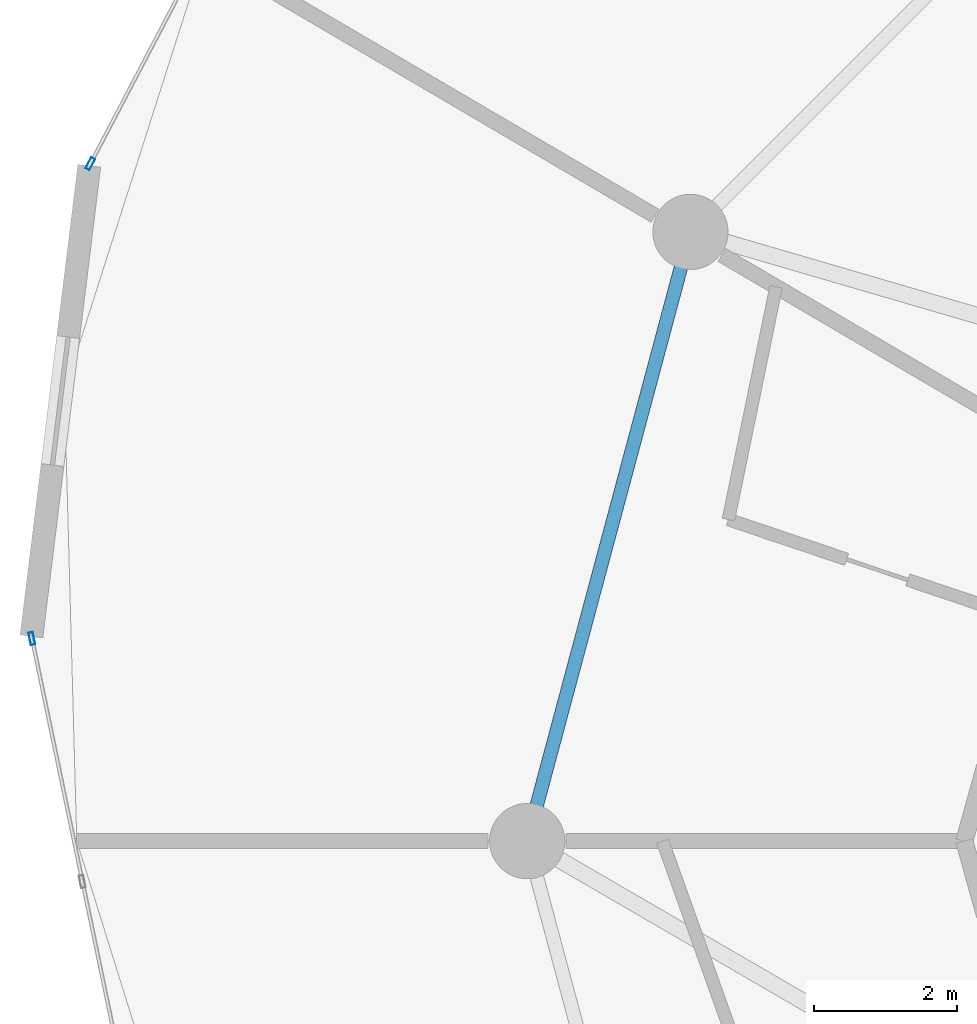
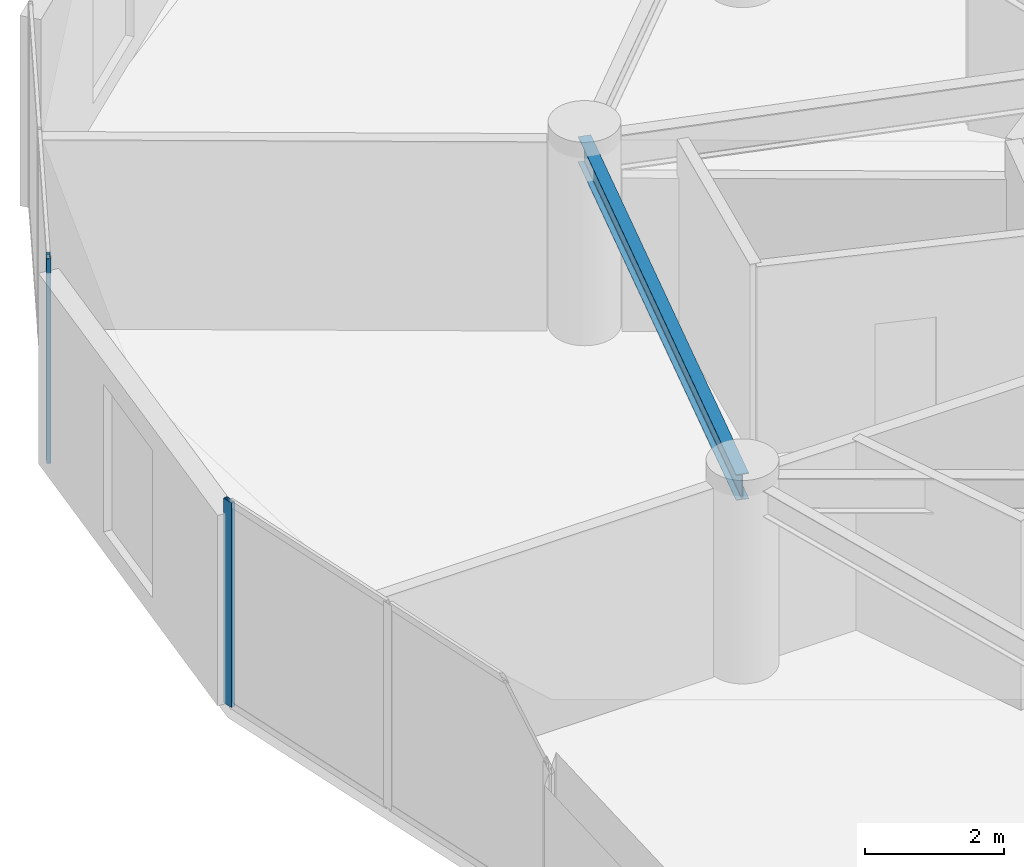
# One storey, part 8 of 25: 2 members, 1 beam, 2 elements without a shape of their own.
"""IFC4 building model written with IfcOpenShell, lengths in metres."""

from ifc_helpers import new_model, si_unit, direction, frame, origin, origin_2d, place, context, subcontext, project, spatial, hollow_rectangle, i_section, extrude, source, transform, mapped, material, layer, layer_set, material_profile, profile_set, type_object, element, aggregate, save


model = new_model("IFC4")

# Units and contexts
model_context = context("Model", 3, precision=1e-05, world=origin(), true_north=direction((0.0, 1.0)))
body_context = subcontext(model_context, "Body", "Model", "MODEL_VIEW")
ifc_project = project(units=[si_unit("LENGTHUNIT", "METRE"), si_unit("AREAUNIT", "SQUARE_METRE"), si_unit("VOLUMEUNIT", "CUBIC_METRE"), si_unit("PLANEANGLEUNIT", "RADIAN"), si_unit("MASSUNIT", "GRAM", prefix="KILO")], contexts=[model_context])

# Site, building, storey
site_placement = place(None, origin())
site = spatial("IfcSite", under=ifc_project, at=site_placement, CompositionType="ELEMENT")
building_placement = place(site_placement, origin())
building = spatial("IfcBuilding", under=site, at=building_placement, Name="Solvirekh Grand Hotel", CompositionType="ELEMENT")
storey_placement = place(building_placement, frame((0.0, 0.0, 127.800048828125)))
storey = spatial("IfcBuildingStorey", under=building, at=storey_placement, Name="L32", CompositionType="ELEMENT", Elevation=127.800048828125)

# Beam
ifc_material_1 = material(Name="Steel S355", Category="steel")
ifc_material_profile_1 = material_profile(ifc_material_1, i_section(OverallWidth=0.18994140625, OverallDepth=0.45703125, WebThickness=0.009033203125, FlangeThickness=0.013916015625, FilletRadius=0.012939453125, at=origin_2d()), Name="W460X74")
ifc_profile_set_1 = profile_set([ifc_material_profile_1], Name="Steel S355")
beam_type = type_object("IfcBeamType", Name="Spandrel_Ring_W460", PredefinedType="SPANDREL", material=ifc_profile_set_1)
beam_placement = place(storey_placement, frame((-14.721923828125, 8.5, 3.1220703125), z_axis=(-0.258872908946, -0.965911391906, 0.0), x_axis=(0.965911391906, -0.258872908946, 0.0)))
element("IfcBeam", 1, at=beam_placement, inside=storey, type_object=beam_type, Name="L32 perimeter spandrel beam 6", PredefinedType="SPANDREL", context=body_context, shape_type="SweptSolid", body=[
    extrude(i_section(OverallWidth=0.18994140625, OverallDepth=0.45703125, WebThickness=0.009033203125, FlangeThickness=0.013916015625, FilletRadius=0.012939453125, at=origin_2d()), origin(), (0.0, 0.0, 1.0), 8.800048828125),
])

# Curtain wall, member
ifc_material_2 = material(Name="Anodized Bronze Aluminium 6063-T6", Category="aluminium")
ifc_layer = layer(ifc_material_2, 0.175048828125)
ifc_layer_set = layer_set([ifc_layer], Name="Anodized Bronze Aluminium 6063-T6")
curtain_wall_type = type_object("IfcCurtainWallType", Name="CW_Sys3_MidZoneFlushBronzeCW", PredefinedType="NOTDEFINED", material=ifc_layer_set)
curtain_wall_1_placement = place(storey_placement, origin())
curtain_wall_1 = element("IfcCurtainWall", 2, at=curtain_wall_1_placement, inside=storey, type_object=curtain_wall_type, Name="L32 unitised bronze-glass curtain wall CW-L32-C11", PredefinedType="NOTDEFINED")
ifc_material_profile_2 = material_profile(ifc_material_2, hollow_rectangle(XDim=0.06494140625, YDim=0.175048828125, WallThickness=0.0048828125, at=origin_2d()), Name="ALU RHS 175X65X5")
ifc_profile_set_2 = profile_set([ifc_material_profile_2], Name="Anodized Bronze Aluminium 6063-T6")
member_type = type_object("IfcMemberType", Name="CWMullion_Sys3", PredefinedType="MULLION", material=ifc_profile_set_2)
shared_shape = source(origin(), body_context, "Body", "SweptSolid", [
    extrude(hollow_rectangle(XDim=0.06494140625, YDim=0.175048828125, WallThickness=0.0048828125, at=origin_2d()), origin(), (0.0, 0.0, 1.0), 3.599853515625),
])
member_1_placement = place(storey_placement, frame((-23.095947265625, 9.45068359375, 0.0), z_axis=(0.0, 0.0, 1.0), x_axis=(0.885754689083, -0.4641536715, 0.0)))
member_1 = element("IfcMember", 3, at=member_1_placement, type_object=member_type, Name="U03 mullion 3", PredefinedType="MULLION", context=body_context, shape_type="MappedRepresentation", body=[
    mapped(shared_shape, transform((0.0, 0.0, 0.0), x_axis=(1.0, 0.0, 0.0), y_axis=(0.0, 1.0, 0.0), z_axis=(0.0, 0.0, 1.0), scale=1.0)),
])
aggregate(curtain_wall_1, [member_1])

curtain_wall_2_placement = place(storey_placement, origin())
curtain_wall_2 = element("IfcCurtainWall", 4, at=curtain_wall_2_placement, inside=storey, type_object=curtain_wall_type, Name="L32 unitised bronze-glass curtain wall CW-L32-C13", PredefinedType="NOTDEFINED")
member_2_placement = place(storey_placement, frame((-23.911376953125, 2.826171875, 0.0), z_axis=(0.0, 0.0, 1.0), x_axis=(0.979112345229, 0.203319982834, 0.0)))
member_2 = element("IfcMember", 5, at=member_2_placement, type_object=member_type, Name="U03 mullion 1", PredefinedType="MULLION", context=body_context, shape_type="MappedRepresentation", body=[
    mapped(shared_shape, transform((0.0, 0.0, 0.0), x_axis=(1.0, 0.0, 0.0), y_axis=(0.0, 1.0, 0.0), z_axis=(0.0, 0.0, 1.0), scale=1.0)),
])
aggregate(curtain_wall_2, [member_2])

save(model, "model.ifc")
